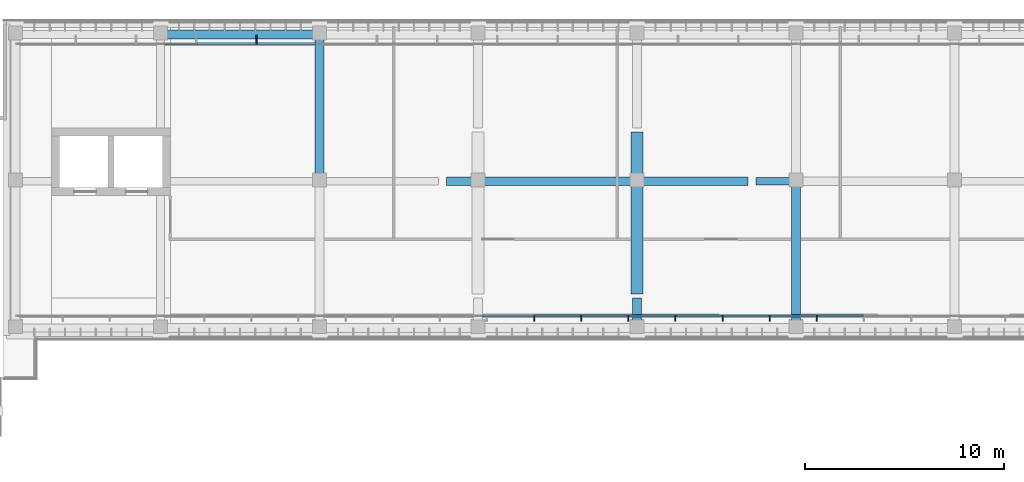
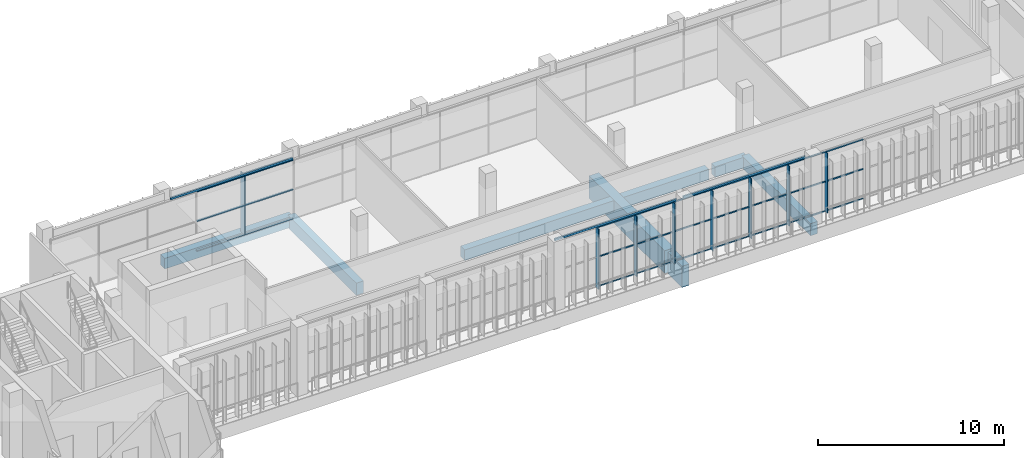
# One storey, part 23 of 73: 35 members, 10 beams, 2 elements without a shape of their own.
"""IFC4 building model written with IfcOpenShell, lengths in metres."""

from ifc_helpers import new_model, si_unit, direction, frame, origin, origin_2d, place, context, subcontext, project, spatial, rectangle, hollow_rectangle, extrude, material, material_profile, profile_set, type_object, element, aggregate, save


model = new_model("IFC4")

# Units and contexts
model_context = context("Model", 3, precision=1e-05, world=origin(), true_north=direction((0.0, 1.0)))
body_context = subcontext(model_context, "Body", "Model", "MODEL_VIEW")
ifc_project = project(units=[si_unit("LENGTHUNIT", "METRE"), si_unit("AREAUNIT", "SQUARE_METRE"), si_unit("VOLUMEUNIT", "CUBIC_METRE"), si_unit("PLANEANGLEUNIT", "RADIAN"), si_unit("MASSUNIT", "GRAM", prefix="KILO")], contexts=[model_context])

# Site, building, storey
site_placement = place(None, origin())
site = spatial("IfcSite", under=ifc_project, at=site_placement, CompositionType="ELEMENT")
building_placement = place(site_placement, origin())
building = spatial("IfcBuilding", under=site, at=building_placement, Name="Lantern Court Media Centre", CompositionType="ELEMENT")
storey_placement = place(building_placement, frame((0.0, 0.0, 24.0)))
storey = spatial("IfcBuildingStorey", under=building, at=storey_placement, Name="L05", CompositionType="ELEMENT", Elevation=24.0)

# Curtain wall, members
ifc_material_1 = material(Name="Curtain wall bay 2400")
curtain_wall_type_1 = type_object("IfcCurtainWallType", Name="Curtain wall bay 2400", PredefinedType="NOTDEFINED", material=ifc_material_1)
curtain_wall_1_placement = place(storey_placement, origin())
curtain_wall_1 = element("IfcCurtainWall", 1, at=curtain_wall_1_placement, inside=storey, type_object=curtain_wall_type_1, Name="Curtain wall N inner L05", PredefinedType="NOTDEFINED")
ifc_material_2 = material(Name="Anodised aluminium", Category="aluminium")
ifc_material_profile_1 = material_profile(ifc_material_2, rectangle(XDim=0.300048828125, YDim=0.050048828125, at=origin_2d()), Name="AL 50x300")
ifc_profile_set_1 = profile_set([ifc_material_profile_1], Name="Anodised aluminium")
member_type_1 = type_object("IfcMemberType", Name="Curtain wall mullion 50x300", PredefinedType="MULLION", material=ifc_profile_set_1)
member_1_placement = place(storey_placement, frame((50.81298828125, 102.030029296875, 0.0), z_axis=(0.0, 0.0, 1.0), x_axis=(0.0, 1.0, 0.0)))
member_1 = element("IfcMember", 2, at=member_1_placement, type_object=member_type_1, Name="CW2 mullion 12", PredefinedType="MULLION", context=body_context, shape_type="SweptSolid", body=[
    extrude(rectangle(XDim=0.300048828125, YDim=0.050048828125, at=origin_2d()), origin(), (0.0, 0.0, 1.0), 3.949951171875),
])
member_2_placement = place(storey_placement, frame((53.18701171875, 102.030029296875, 0.0), z_axis=(0.0, 0.0, 1.0), x_axis=(0.0, 1.0, 0.0)))
member_2 = element("IfcMember", 3, at=member_2_placement, type_object=member_type_1, Name="CW2 mullion 13", PredefinedType="MULLION", context=body_context, shape_type="SweptSolid", body=[
    extrude(rectangle(XDim=0.300048828125, YDim=0.050048828125, at=origin_2d()), origin(), (0.0, 0.0, 1.0), 3.949951171875),
])
member_3_placement = place(storey_placement, frame((55.560791015625, 102.030029296875, 0.0), z_axis=(0.0, 0.0, 1.0), x_axis=(0.0, 1.0, 0.0)))
member_3 = element("IfcMember", 4, at=member_3_placement, type_object=member_type_1, Name="CW2 mullion 14", PredefinedType="MULLION", context=body_context, shape_type="SweptSolid", body=[
    extrude(rectangle(XDim=0.300048828125, YDim=0.050048828125, at=origin_2d()), origin(), (0.0, 0.0, 1.0), 3.949951171875),
])
member_4_placement = place(storey_placement, frame((57.934814453125, 102.030029296875, 0.0), z_axis=(0.0, 0.0, 1.0), x_axis=(0.0, 1.0, 0.0)))
member_4 = element("IfcMember", 5, at=member_4_placement, type_object=member_type_1, Name="CW2 mullion 15", PredefinedType="MULLION", context=body_context, shape_type="SweptSolid", body=[
    extrude(rectangle(XDim=0.300048828125, YDim=0.050048828125, at=origin_2d()), origin(), (0.0, 0.0, 1.0), 3.949951171875),
])
member_5_placement = place(storey_placement, frame((60.30859375, 102.030029296875, 0.0), z_axis=(0.0, 0.0, 1.0), x_axis=(0.0, 1.0, 0.0)))
member_5 = element("IfcMember", 6, at=member_5_placement, type_object=member_type_1, Name="CW2 mullion 16", PredefinedType="MULLION", context=body_context, shape_type="SweptSolid", body=[
    extrude(rectangle(XDim=0.300048828125, YDim=0.050048828125, at=origin_2d()), origin(), (0.0, 0.0, 1.0), 3.949951171875),
])
member_6_placement = place(storey_placement, frame((62.6826171875, 102.030029296875, 0.0), z_axis=(0.0, 0.0, 1.0), x_axis=(0.0, 1.0, 0.0)))
member_6 = element("IfcMember", 7, at=member_6_placement, type_object=member_type_1, Name="CW2 mullion 17", PredefinedType="MULLION", context=body_context, shape_type="SweptSolid", body=[
    extrude(rectangle(XDim=0.300048828125, YDim=0.050048828125, at=origin_2d()), origin(), (0.0, 0.0, 1.0), 3.949951171875),
])
member_7_placement = place(storey_placement, frame((65.056640625, 102.030029296875, 0.0), z_axis=(0.0, 0.0, 1.0), x_axis=(0.0, 1.0, 0.0)))
member_7 = element("IfcMember", 8, at=member_7_placement, type_object=member_type_1, Name="CW2 mullion 18", PredefinedType="MULLION", context=body_context, shape_type="SweptSolid", body=[
    extrude(rectangle(XDim=0.300048828125, YDim=0.050048828125, at=origin_2d()), origin(), (0.0, 0.0, 1.0), 3.949951171875),
])

# Curtain wall, member
ifc_material_3 = material(Name="Curtain wall bay 3000")
curtain_wall_type_2 = type_object("IfcCurtainWallType", Name="Curtain wall bay 3000", PredefinedType="NOTDEFINED", material=ifc_material_3)
curtain_wall_2_placement = place(storey_placement, origin())
curtain_wall_2 = element("IfcCurtainWall", 9, at=curtain_wall_2_placement, inside=storey, type_object=curtain_wall_type_2, Name="Curtain wall N outer L05", PredefinedType="NOTDEFINED")
ifc_material_profile_2 = material_profile(ifc_material_2, rectangle(XDim=0.449951171875, YDim=0.06005859375, at=origin_2d()), Name="AL 60x450")
ifc_profile_set_2 = profile_set([ifc_material_profile_2], Name="Anodised aluminium")
member_type_2 = type_object("IfcMemberType", Name="Curtain wall mullion 60x450", PredefinedType="MULLION", material=ifc_profile_set_2)
member_8_placement = place(storey_placement, frame((36.833251953125, 116.044921875, 0.0), z_axis=(0.0, 0.0, 1.0), x_axis=(0.0, 1.0, 0.0)))
member_8 = element("IfcMember", 10, at=member_8_placement, type_object=member_type_2, Name="CW1 mullion 5", PredefinedType="MULLION", context=body_context, shape_type="SweptSolid", body=[
    extrude(rectangle(XDim=0.449951171875, YDim=0.06005859375, at=origin_2d()), origin(), (0.0, 0.0, 1.0), 3.949951171875),
])

# Member
ifc_material_profile_3 = material_profile(ifc_material_2, rectangle(XDim=0.10009765625, YDim=0.050048828125, at=origin_2d()), Name="AL 50x100")
ifc_profile_set_3 = profile_set([ifc_material_profile_3], Name="Anodised aluminium")
member_type_3 = type_object("IfcMemberType", Name="Curtain wall transom 100x50", PredefinedType="USERDEFINED", material=ifc_profile_set_3)
member_9_placement = place(storey_placement, frame((50.838134765625, 102.14990234375, 0.02490234375), z_axis=(1.0, 0.0, 0.0), x_axis=(0.0, 1.0, 0.0)))
member_9 = element("IfcMember", 11, at=member_9_placement, type_object=member_type_3, Name="CW2 transom 12.1", ObjectType="TRANSOM", PredefinedType="USERDEFINED", context=body_context, shape_type="SweptSolid", body=[
    extrude(rectangle(XDim=0.10009765625, YDim=0.050048828125, at=origin_2d()), origin(), (0.0, 0.0, 1.0), 2.32373046875),
])

member_10_placement = place(storey_placement, frame((50.838134765625, 102.14990234375, 1.97509765625), z_axis=(1.0, 0.0, 0.0), x_axis=(0.0, 1.0, 0.0)))
member_10 = element("IfcMember", 12, at=member_10_placement, type_object=member_type_3, Name="CW2 transom 12.2", ObjectType="TRANSOM", PredefinedType="USERDEFINED", context=body_context, shape_type="SweptSolid", body=[
    extrude(rectangle(XDim=0.10009765625, YDim=0.050048828125, at=origin_2d()), origin(), (0.0, 0.0, 1.0), 2.32373046875),
])

member_11_placement = place(storey_placement, frame((50.838134765625, 102.14990234375, 3.925048828125), z_axis=(1.0, 0.0, 0.0), x_axis=(0.0, 1.0, 0.0)))
member_11 = element("IfcMember", 13, at=member_11_placement, type_object=member_type_3, Name="CW2 transom 12.3", ObjectType="TRANSOM", PredefinedType="USERDEFINED", context=body_context, shape_type="SweptSolid", body=[
    extrude(rectangle(XDim=0.10009765625, YDim=0.050048828125, at=origin_2d()), origin(), (0.0, 0.0, 1.0), 2.32373046875),
])

member_12_placement = place(storey_placement, frame((53.2119140625, 102.14990234375, 0.02490234375), z_axis=(1.0, 0.0, 0.0), x_axis=(0.0, 1.0, 0.0)))
member_12 = element("IfcMember", 14, at=member_12_placement, type_object=member_type_3, Name="CW2 transom 13.1", ObjectType="TRANSOM", PredefinedType="USERDEFINED", context=body_context, shape_type="SweptSolid", body=[
    extrude(rectangle(XDim=0.10009765625, YDim=0.050048828125, at=origin_2d()), origin(), (0.0, 0.0, 1.0), 2.323974609375),
])

member_13_placement = place(storey_placement, frame((53.2119140625, 102.14990234375, 1.97509765625), z_axis=(1.0, 0.0, 0.0), x_axis=(0.0, 1.0, 0.0)))
member_13 = element("IfcMember", 15, at=member_13_placement, type_object=member_type_3, Name="CW2 transom 13.2", ObjectType="TRANSOM", PredefinedType="USERDEFINED", context=body_context, shape_type="SweptSolid", body=[
    extrude(rectangle(XDim=0.10009765625, YDim=0.050048828125, at=origin_2d()), origin(), (0.0, 0.0, 1.0), 2.323974609375),
])

member_14_placement = place(storey_placement, frame((53.2119140625, 102.14990234375, 3.925048828125), z_axis=(1.0, 0.0, 0.0), x_axis=(0.0, 1.0, 0.0)))
member_14 = element("IfcMember", 16, at=member_14_placement, type_object=member_type_3, Name="CW2 transom 13.3", ObjectType="TRANSOM", PredefinedType="USERDEFINED", context=body_context, shape_type="SweptSolid", body=[
    extrude(rectangle(XDim=0.10009765625, YDim=0.050048828125, at=origin_2d()), origin(), (0.0, 0.0, 1.0), 2.323974609375),
])

member_15_placement = place(storey_placement, frame((55.5859375, 102.14990234375, 0.02490234375), z_axis=(1.0, 0.0, 0.0), x_axis=(0.0, 1.0, 0.0)))
member_15 = element("IfcMember", 17, at=member_15_placement, type_object=member_type_3, Name="CW2 transom 14.1", ObjectType="TRANSOM", PredefinedType="USERDEFINED", context=body_context, shape_type="SweptSolid", body=[
    extrude(rectangle(XDim=0.10009765625, YDim=0.050048828125, at=origin_2d()), origin(), (0.0, 0.0, 1.0), 2.32373046875),
])

member_16_placement = place(storey_placement, frame((55.5859375, 102.14990234375, 1.97509765625), z_axis=(1.0, 0.0, 0.0), x_axis=(0.0, 1.0, 0.0)))
member_16 = element("IfcMember", 18, at=member_16_placement, type_object=member_type_3, Name="CW2 transom 14.2", ObjectType="TRANSOM", PredefinedType="USERDEFINED", context=body_context, shape_type="SweptSolid", body=[
    extrude(rectangle(XDim=0.10009765625, YDim=0.050048828125, at=origin_2d()), origin(), (0.0, 0.0, 1.0), 2.32373046875),
])

member_17_placement = place(storey_placement, frame((55.5859375, 102.14990234375, 3.925048828125), z_axis=(1.0, 0.0, 0.0), x_axis=(0.0, 1.0, 0.0)))
member_17 = element("IfcMember", 19, at=member_17_placement, type_object=member_type_3, Name="CW2 transom 14.3", ObjectType="TRANSOM", PredefinedType="USERDEFINED", context=body_context, shape_type="SweptSolid", body=[
    extrude(rectangle(XDim=0.10009765625, YDim=0.050048828125, at=origin_2d()), origin(), (0.0, 0.0, 1.0), 2.32373046875),
])

member_18_placement = place(storey_placement, frame((57.959716796875, 102.14990234375, 0.02490234375), z_axis=(1.0, 0.0, 0.0), x_axis=(0.0, 1.0, 0.0)))
member_18 = element("IfcMember", 20, at=member_18_placement, type_object=member_type_3, Name="CW2 transom 15.1", ObjectType="TRANSOM", PredefinedType="USERDEFINED", context=body_context, shape_type="SweptSolid", body=[
    extrude(rectangle(XDim=0.10009765625, YDim=0.050048828125, at=origin_2d()), origin(), (0.0, 0.0, 1.0), 2.323974609375),
])

member_19_placement = place(storey_placement, frame((57.959716796875, 102.14990234375, 1.97509765625), z_axis=(1.0, 0.0, 0.0), x_axis=(0.0, 1.0, 0.0)))
member_19 = element("IfcMember", 21, at=member_19_placement, type_object=member_type_3, Name="CW2 transom 15.2", ObjectType="TRANSOM", PredefinedType="USERDEFINED", context=body_context, shape_type="SweptSolid", body=[
    extrude(rectangle(XDim=0.10009765625, YDim=0.050048828125, at=origin_2d()), origin(), (0.0, 0.0, 1.0), 2.323974609375),
])

member_20_placement = place(storey_placement, frame((57.959716796875, 102.14990234375, 3.925048828125), z_axis=(1.0, 0.0, 0.0), x_axis=(0.0, 1.0, 0.0)))
member_20 = element("IfcMember", 22, at=member_20_placement, type_object=member_type_3, Name="CW2 transom 15.3", ObjectType="TRANSOM", PredefinedType="USERDEFINED", context=body_context, shape_type="SweptSolid", body=[
    extrude(rectangle(XDim=0.10009765625, YDim=0.050048828125, at=origin_2d()), origin(), (0.0, 0.0, 1.0), 2.323974609375),
])

member_21_placement = place(storey_placement, frame((60.333740234375, 102.14990234375, 0.02490234375), z_axis=(1.0, 0.0, 0.0), x_axis=(0.0, 1.0, 0.0)))
member_21 = element("IfcMember", 23, at=member_21_placement, type_object=member_type_3, Name="CW2 transom 16.1", ObjectType="TRANSOM", PredefinedType="USERDEFINED", context=body_context, shape_type="SweptSolid", body=[
    extrude(rectangle(XDim=0.10009765625, YDim=0.050048828125, at=origin_2d()), origin(), (0.0, 0.0, 1.0), 2.323974609375),
])

member_22_placement = place(storey_placement, frame((60.333740234375, 102.14990234375, 1.97509765625), z_axis=(1.0, 0.0, 0.0), x_axis=(0.0, 1.0, 0.0)))
member_22 = element("IfcMember", 24, at=member_22_placement, type_object=member_type_3, Name="CW2 transom 16.2", ObjectType="TRANSOM", PredefinedType="USERDEFINED", context=body_context, shape_type="SweptSolid", body=[
    extrude(rectangle(XDim=0.10009765625, YDim=0.050048828125, at=origin_2d()), origin(), (0.0, 0.0, 1.0), 2.323974609375),
])

member_23_placement = place(storey_placement, frame((60.333740234375, 102.14990234375, 3.925048828125), z_axis=(1.0, 0.0, 0.0), x_axis=(0.0, 1.0, 0.0)))
member_23 = element("IfcMember", 25, at=member_23_placement, type_object=member_type_3, Name="CW2 transom 16.3", ObjectType="TRANSOM", PredefinedType="USERDEFINED", context=body_context, shape_type="SweptSolid", body=[
    extrude(rectangle(XDim=0.10009765625, YDim=0.050048828125, at=origin_2d()), origin(), (0.0, 0.0, 1.0), 2.323974609375),
])

member_24_placement = place(storey_placement, frame((62.70751953125, 102.14990234375, 0.02490234375), z_axis=(1.0, 0.0, 0.0), x_axis=(0.0, 1.0, 0.0)))
member_24 = element("IfcMember", 26, at=member_24_placement, type_object=member_type_3, Name="CW2 transom 17.1", ObjectType="TRANSOM", PredefinedType="USERDEFINED", context=body_context, shape_type="SweptSolid", body=[
    extrude(rectangle(XDim=0.10009765625, YDim=0.050048828125, at=origin_2d()), origin(), (0.0, 0.0, 1.0), 2.323974609375),
])

member_25_placement = place(storey_placement, frame((62.70751953125, 102.14990234375, 1.97509765625), z_axis=(1.0, 0.0, 0.0), x_axis=(0.0, 1.0, 0.0)))
member_25 = element("IfcMember", 27, at=member_25_placement, type_object=member_type_3, Name="CW2 transom 17.2", ObjectType="TRANSOM", PredefinedType="USERDEFINED", context=body_context, shape_type="SweptSolid", body=[
    extrude(rectangle(XDim=0.10009765625, YDim=0.050048828125, at=origin_2d()), origin(), (0.0, 0.0, 1.0), 2.323974609375),
])

member_26_placement = place(storey_placement, frame((62.70751953125, 102.14990234375, 3.925048828125), z_axis=(1.0, 0.0, 0.0), x_axis=(0.0, 1.0, 0.0)))
member_26 = element("IfcMember", 28, at=member_26_placement, type_object=member_type_3, Name="CW2 transom 17.3", ObjectType="TRANSOM", PredefinedType="USERDEFINED", context=body_context, shape_type="SweptSolid", body=[
    extrude(rectangle(XDim=0.10009765625, YDim=0.050048828125, at=origin_2d()), origin(), (0.0, 0.0, 1.0), 2.323974609375),
])

member_27_placement = place(storey_placement, frame((65.08154296875, 102.14990234375, 0.02490234375), z_axis=(1.0, 0.0, 0.0), x_axis=(0.0, 1.0, 0.0)))
member_27 = element("IfcMember", 29, at=member_27_placement, type_object=member_type_3, Name="CW2 transom 18.1", ObjectType="TRANSOM", PredefinedType="USERDEFINED", context=body_context, shape_type="SweptSolid", body=[
    extrude(rectangle(XDim=0.10009765625, YDim=0.050048828125, at=origin_2d()), origin(), (0.0, 0.0, 1.0), 2.323974609375),
])

member_28_placement = place(storey_placement, frame((65.08154296875, 102.14990234375, 1.97509765625), z_axis=(1.0, 0.0, 0.0), x_axis=(0.0, 1.0, 0.0)))
member_28 = element("IfcMember", 30, at=member_28_placement, type_object=member_type_3, Name="CW2 transom 18.2", ObjectType="TRANSOM", PredefinedType="USERDEFINED", context=body_context, shape_type="SweptSolid", body=[
    extrude(rectangle(XDim=0.10009765625, YDim=0.050048828125, at=origin_2d()), origin(), (0.0, 0.0, 1.0), 2.323974609375),
])

member_29_placement = place(storey_placement, frame((65.08154296875, 102.14990234375, 3.925048828125), z_axis=(1.0, 0.0, 0.0), x_axis=(0.0, 1.0, 0.0)))
member_29 = element("IfcMember", 31, at=member_29_placement, type_object=member_type_3, Name="CW2 transom 18.3", ObjectType="TRANSOM", PredefinedType="USERDEFINED", context=body_context, shape_type="SweptSolid", body=[
    extrude(rectangle(XDim=0.10009765625, YDim=0.050048828125, at=origin_2d()), origin(), (0.0, 0.0, 1.0), 2.323974609375),
])

aggregate(curtain_wall_1, [member_1, member_2, member_3, member_4, member_5, member_6, member_7, member_9, member_10, member_11, member_12, member_13, member_14, member_15, member_16, member_17, member_18, member_19, member_20, member_21, member_22, member_23, member_24, member_25, member_26, member_27, member_28, member_29])

ifc_material_profile_4 = material_profile(ifc_material_2, rectangle(XDim=0.1201171875, YDim=0.06005859375, at=origin_2d()), Name="AL 60x120")
ifc_profile_set_4 = profile_set([ifc_material_profile_4], Name="Anodised aluminium")
member_type_4 = type_object("IfcMemberType", Name="Curtain wall transom 60x120", PredefinedType="USERDEFINED", material=ifc_profile_set_4)
member_30_placement = place(storey_placement, frame((33.830078125, 115.85009765625, 0.030029296875), z_axis=(1.0, 0.0, 0.0), x_axis=(0.0, 1.0, 0.0)))
member_30 = element("IfcMember", 32, at=member_30_placement, type_object=member_type_4, Name="CW1 transom 4.1", ObjectType="TRANSOM", PredefinedType="USERDEFINED", context=body_context, shape_type="SweptSolid", body=[
    extrude(rectangle(XDim=0.1201171875, YDim=0.06005859375, at=origin_2d()), origin(), (0.0, 0.0, 1.0), 2.97314453125),
])

member_31_placement = place(storey_placement, frame((33.830078125, 115.85009765625, 1.97509765625), z_axis=(1.0, 0.0, 0.0), x_axis=(0.0, 1.0, 0.0)))
member_31 = element("IfcMember", 33, at=member_31_placement, type_object=member_type_4, Name="CW1 transom 4.2", ObjectType="TRANSOM", PredefinedType="USERDEFINED", context=body_context, shape_type="SweptSolid", body=[
    extrude(rectangle(XDim=0.1201171875, YDim=0.06005859375, at=origin_2d()), origin(), (0.0, 0.0, 1.0), 2.97314453125),
])

member_32_placement = place(storey_placement, frame((33.830078125, 115.85009765625, 3.919921875), z_axis=(1.0, 0.0, 0.0), x_axis=(0.0, 1.0, 0.0)))
member_32 = element("IfcMember", 34, at=member_32_placement, type_object=member_type_4, Name="CW1 transom 4.3", ObjectType="TRANSOM", PredefinedType="USERDEFINED", context=body_context, shape_type="SweptSolid", body=[
    extrude(rectangle(XDim=0.1201171875, YDim=0.06005859375, at=origin_2d()), origin(), (0.0, 0.0, 1.0), 2.97314453125),
])

member_33_placement = place(storey_placement, frame((36.86328125, 115.85009765625, 0.030029296875), z_axis=(1.0, 0.0, 0.0), x_axis=(0.0, 1.0, 0.0)))
member_33 = element("IfcMember", 35, at=member_33_placement, type_object=member_type_4, Name="CW1 transom 5.1", ObjectType="TRANSOM", PredefinedType="USERDEFINED", context=body_context, shape_type="SweptSolid", body=[
    extrude(rectangle(XDim=0.1201171875, YDim=0.06005859375, at=origin_2d()), origin(), (0.0, 0.0, 1.0), 2.973388671875),
])

member_34_placement = place(storey_placement, frame((36.86328125, 115.85009765625, 1.97509765625), z_axis=(1.0, 0.0, 0.0), x_axis=(0.0, 1.0, 0.0)))
member_34 = element("IfcMember", 36, at=member_34_placement, type_object=member_type_4, Name="CW1 transom 5.2", ObjectType="TRANSOM", PredefinedType="USERDEFINED", context=body_context, shape_type="SweptSolid", body=[
    extrude(rectangle(XDim=0.1201171875, YDim=0.06005859375, at=origin_2d()), origin(), (0.0, 0.0, 1.0), 2.973388671875),
])

member_35_placement = place(storey_placement, frame((36.86328125, 115.85009765625, 3.919921875), z_axis=(1.0, 0.0, 0.0), x_axis=(0.0, 1.0, 0.0)))
member_35 = element("IfcMember", 37, at=member_35_placement, type_object=member_type_4, Name="CW1 transom 5.3", ObjectType="TRANSOM", PredefinedType="USERDEFINED", context=body_context, shape_type="SweptSolid", body=[
    extrude(rectangle(XDim=0.1201171875, YDim=0.06005859375, at=origin_2d()), origin(), (0.0, 0.0, 1.0), 2.973388671875),
])

aggregate(curtain_wall_2, [member_8, member_30, member_31, member_32, member_33, member_34, member_35])

# Beams
ifc_material_4 = material(Name="Steel S355J2 (EN 10025-2)", Category="steel")
ifc_material_profile_5 = material_profile(ifc_material_4, hollow_rectangle(XDim=0.10009765625, YDim=0.14990234375, WallThickness=0.00634765625, InnerFilletRadius=0.00634765625, OuterFilletRadius=0.009521484375, at=origin_2d()), Name="Facade head lintel RHS 150x100x6.3")
ifc_profile_set_5 = profile_set([ifc_material_profile_5], Name="Steel S355J2 (EN 10025-2)")
beam_type_1 = type_object("IfcBeamType", Name="Facade head lintel RHS 150x100x6.3", PredefinedType="BEAM", material=ifc_profile_set_5)
for number, where, z_axis, x_axis, name in (
    (38, (32.199951171875, 115.85009765625, 4.02490234375), (1.0, 0.0, 0.0), (0.0, 1.0, 0.0), "Facade head lintel N L05"),
    (39, (48.199951171875, 102.14990234375, 4.02490234375), (1.0, 0.0, 0.0), (0.0, 1.0, 0.0), "Facade head lintel N L05"),
    (40, (56.199951171875, 102.14990234375, 4.02490234375), (1.0, 0.0, 0.0), (0.0, 1.0, 0.0), "Facade head lintel N L05"),
):
    element("IfcBeam", number, at=place(storey_placement, frame(where, z_axis=z_axis, x_axis=x_axis)), inside=storey, type_object=beam_type_1, Name=name, PredefinedType="BEAM", context=body_context, shape_type="SweptSolid", body=[
        extrude(hollow_rectangle(XDim=0.10009765625, YDim=0.14990234375, WallThickness=0.00634765625, InnerFilletRadius=0.00634765625, OuterFilletRadius=0.009521484375, at=origin_2d()), origin(), (0.0, 0.0, 1.0), 7.60009765625),
    ])
ifc_material_5 = material(Name="Concrete C35", Category="concrete")
ifc_material_profile_6 = material_profile(ifc_material_5, rectangle(XDim=0.39990234375, YDim=0.699951171875, at=origin_2d()), Name="RC 400x700")
ifc_profile_set_6 = profile_set([ifc_material_profile_6], Name="Concrete C35")
beam_type_2 = type_object("IfcBeamType", Name="RC BEAM 400x700", PredefinedType="BEAM", material=ifc_profile_set_6)
beam_1_placement = place(storey_placement, frame((62.0, 108.927001953125, -0.35009765625), z_axis=(1.0, 0.0, 0.0), x_axis=(0.0, 1.0, 0.0)))
element("IfcBeam", 41, at=beam_1_placement, inside=storey, type_object=beam_type_2, Name="LB-N-L05-1-22", PredefinedType="BEAM", context=body_context, shape_type="SweptSolid", body=[
    extrude(rectangle(XDim=0.39990234375, YDim=0.699951171875, at=origin_2d()), origin(), (0.0, 0.0, 1.0), 2.0),
])
ifc_material_profile_7 = material_profile(ifc_material_5, rectangle(XDim=0.449951171875, YDim=1.39990234375, at=origin_2d()), Name="RC 450x1400")
ifc_profile_set_7 = profile_set([ifc_material_profile_7], Name="Concrete C35")
beam_type_3 = type_object("IfcBeamType", Name="RC BEAM 450x1400", PredefinedType="BEAM", material=ifc_profile_set_7)
beam_2_placement = place(storey_placement, frame((56.0, 101.5166015625, -0.699951171875), z_axis=(0.0, 1.0, 0.0), x_axis=(-1.0, 0.0, 0.0)))
element("IfcBeam", 42, at=beam_2_placement, inside=storey, type_object=beam_type_3, Name="TB-N-L05-4-1", PredefinedType="BEAM", context=body_context, shape_type="SweptSolid", body=[
    extrude(rectangle(XDim=0.449951171875, YDim=1.39990234375, at=origin_2d()), origin(), (0.0, 0.0, 1.0), 1.533447265625),
])
ifc_material_profile_8 = material_profile(ifc_material_5, rectangle(XDim=0.449951171875, YDim=0.699951171875, at=origin_2d()), Name="RC 450x700")
ifc_profile_set_8 = profile_set([ifc_material_profile_8], Name="Concrete C35")
beam_type_4 = type_object("IfcBeamType", Name="RC BEAM 450x700", PredefinedType="BEAM", material=ifc_profile_set_8)
beam_3_placement = place(storey_placement, frame((46.39990234375, 108.927001953125, -0.35009765625), z_axis=(1.0, 0.0, 0.0), x_axis=(0.0, 1.0, 0.0)))
element("IfcBeam", 43, at=beam_3_placement, inside=storey, type_object=beam_type_4, Name="LB-N-L05-1-21", PredefinedType="BEAM", context=body_context, shape_type="SweptSolid", body=[
    extrude(rectangle(XDim=0.449951171875, YDim=0.699951171875, at=origin_2d()), origin(), (0.0, 0.0, 1.0), 15.2001953125),
])
beam_4_placement = place(storey_placement, frame((32.0, 116.3271484375, -0.35009765625), z_axis=(1.0, 0.0, 0.0), x_axis=(0.0, 1.0, 0.0)))
element("IfcBeam", 44, at=beam_4_placement, inside=storey, type_object=beam_type_4, Name="LB-N-L05-2-1", PredefinedType="BEAM", context=body_context, shape_type="SweptSolid", body=[
    extrude(rectangle(XDim=0.449951171875, YDim=0.699951171875, at=origin_2d()), origin(), (0.0, 0.0, 1.0), 8.0),
])
ifc_material_profile_9 = material_profile(ifc_material_5, rectangle(XDim=0.449951171875, YDim=0.800048828125, at=origin_2d()), Name="RC 450x800")
ifc_profile_set_9 = profile_set([ifc_material_profile_9], Name="Concrete C35")
beam_type_5 = type_object("IfcBeamType", Name="RC BEAM 450x800", PredefinedType="BEAM", material=ifc_profile_set_9)
beam_5_placement = place(storey_placement, frame((40.0, 108.916748046875, -0.39990234375), z_axis=(0.0, 1.0, 0.0), x_axis=(-1.0, 0.0, 0.0)))
element("IfcBeam", 45, at=beam_5_placement, inside=storey, type_object=beam_type_5, Name="TB-N-L05-2-2", PredefinedType="BEAM", context=body_context, shape_type="SweptSolid", body=[
    extrude(rectangle(XDim=0.449951171875, YDim=0.800048828125, at=origin_2d()), origin(), (0.0, 0.0, 1.0), 7.39990234375),
])
beam_6_placement = place(storey_placement, frame((64.0, 101.5166015625, -0.39990234375), z_axis=(0.0, 1.0, 0.0), x_axis=(-1.0, 0.0, 0.0)))
element("IfcBeam", 46, at=beam_6_placement, inside=storey, type_object=beam_type_5, Name="TB-N-L05-5-1", PredefinedType="BEAM", context=body_context, shape_type="SweptSolid", body=[
    extrude(rectangle(XDim=0.449951171875, YDim=0.800048828125, at=origin_2d()), origin(), (0.0, 0.0, 1.0), 7.400146484375),
])
ifc_material_profile_10 = material_profile(ifc_material_5, rectangle(XDim=0.60009765625, YDim=1.5, at=origin_2d()), Name="RC 600x1500")
ifc_profile_set_10 = profile_set([ifc_material_profile_10], Name="Concrete C35")
beam_type_6 = type_object("IfcBeamType", Name="RC BEAM 600x1500", PredefinedType="BEAM", material=ifc_profile_set_10)
beam_7_placement = place(storey_placement, frame((56.0, 103.25, -0.75), z_axis=(0.0, 1.0, 0.0), x_axis=(-1.0, 0.0, 0.0)))
element("IfcBeam", 47, at=beam_7_placement, inside=storey, type_object=beam_type_6, Name="TR-N-L05-5", PredefinedType="BEAM", context=body_context, shape_type="SweptSolid", body=[
    extrude(rectangle(XDim=0.60009765625, YDim=1.5, at=origin_2d()), origin(), (0.0, 0.0, 1.0), 8.14990234375),
])

save(model, "model.ifc")
